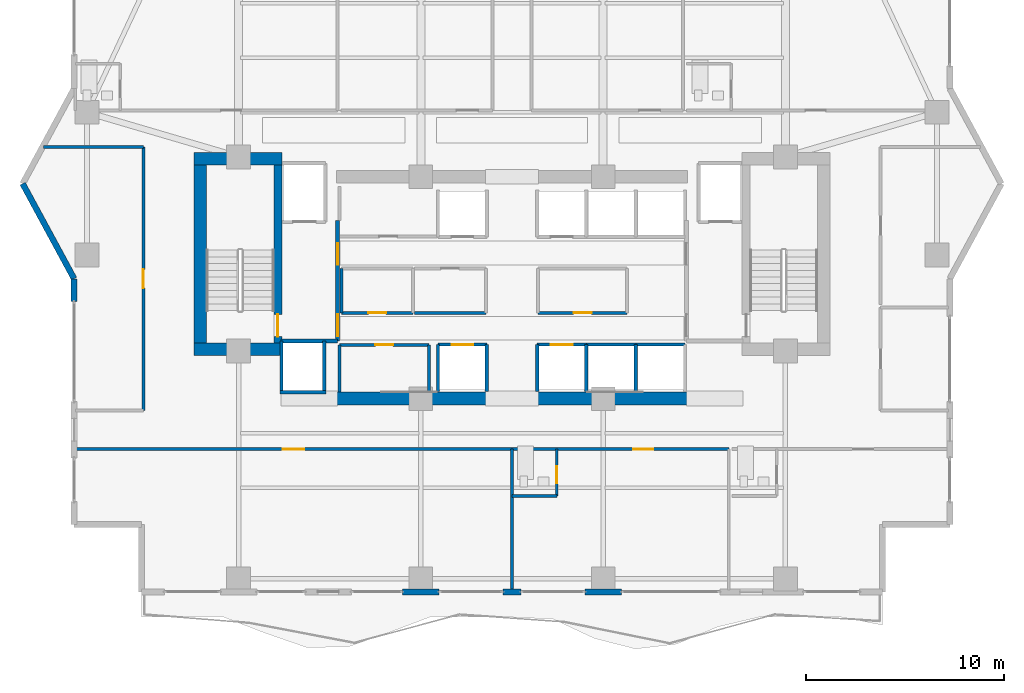
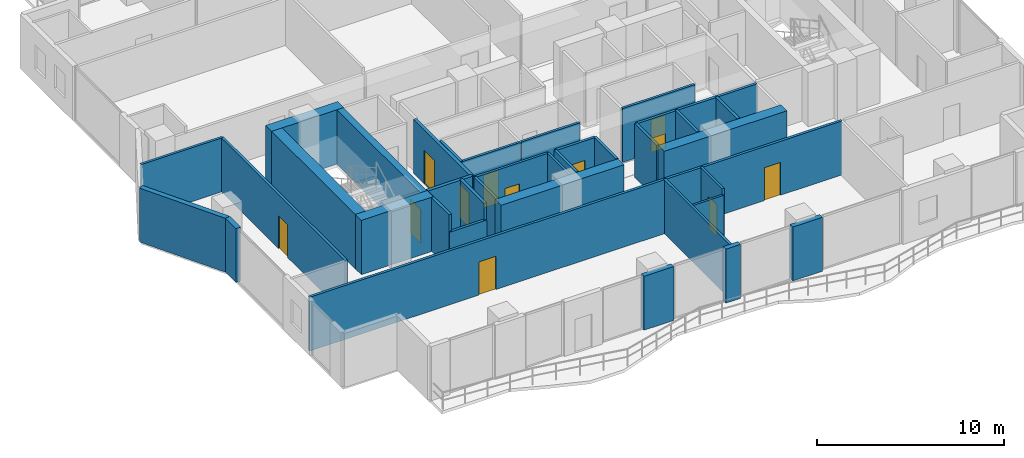
# One storey, part 25 of 32: 39 walls, 12 doors, 12 openings.
"""IFC4 building model written with IfcOpenShell, lengths in metres."""

from ifc_helpers import new_model, si_unit, direction, frame, frame_2d, origin, place, context, subcontext, project, spatial, rectangle, extrude, material, layer, layer_set, type_object, element, fill, save


model = new_model("IFC4")

# Units and contexts
model_context = context("Model", 3, precision=1e-05, world=origin(), true_north=direction((0.0, 1.0)))
body_context = subcontext(model_context, "Body", "Model", "MODEL_VIEW")
ifc_project = project(units=[si_unit("LENGTHUNIT", "METRE"), si_unit("AREAUNIT", "SQUARE_METRE"), si_unit("VOLUMEUNIT", "CUBIC_METRE"), si_unit("PLANEANGLEUNIT", "RADIAN"), si_unit("MASSUNIT", "GRAM", prefix="KILO")], contexts=[model_context])

# Site, building, storey
site_placement = place(None, origin())
site = spatial("IfcSite", under=ifc_project, at=site_placement, CompositionType="ELEMENT")
building_placement = place(site_placement, origin())
building = spatial("IfcBuilding", under=site, at=building_placement, Name="Zuhayl Quay Hotel", CompositionType="ELEMENT")
storey_placement = place(building_placement, frame((0.0, 0.0, 218.64990234375)))
storey = spatial("IfcBuildingStorey", under=building, at=storey_placement, Name="L55", CompositionType="ELEMENT", Elevation=218.64990234375)

# Walls
ifc_material_1 = material(Name="Concrete C50/60", Category="concrete")
ifc_layer_1 = layer(ifc_material_1, 0.64990234375, Name="Concrete C50/60", Category="concrete")
ifc_layer_set_1 = layer_set([ifc_layer_1], Name="Concrete C50/60")
wall_type_1 = type_object("IfcWallType", Name="WL_CORE_650", PredefinedType="SHEAR", material=ifc_layer_set_1)
wall_1_placement = place(storey_placement, frame((-16.06005859375, 14.2548828125, 0.0), z_axis=(0.0, 0.0, 1.0), x_axis=(1.0, 0.0, 0.0)))
element("IfcWall", 1, at=wall_1_placement, inside=storey, type_object=wall_type_1, Name="L55 Core Shear Wall CW_NW", PredefinedType="SHEAR", context=body_context, shape_type="SweptSolid", body=[
    extrude(rectangle(XDim=4.4599609375, YDim=0.64990234375, at=frame_2d((2.22998046875, 0.0))), origin(), (0.0, 0.0, 1.0), 3.56005859375),
])
wall_2_placement = place(storey_placement, frame((-15.735107421875, 4.969970703125, 0.0), z_axis=(0.0, 0.0, 1.0), x_axis=(0.0, 1.0, 0.0)))
element("IfcWall", 2, at=wall_2_placement, inside=storey, type_object=wall_type_1, Name="L55 Core Shear Wall CW_W", PredefinedType="SHEAR", context=body_context, shape_type="SweptSolid", body=[
    extrude(rectangle(XDim=8.9599609375, YDim=0.64990234375, at=frame_2d((4.47998046875, 0.0))), origin(), (0.0, 0.0, 1.0), 3.56005859375),
])
wall_3_placement = place(storey_placement, frame((-16.06005859375, 4.64501953125, 0.0), z_axis=(0.0, 0.0, 1.0), x_axis=(1.0, 0.0, 0.0)))
element("IfcWall", 3, at=wall_3_placement, inside=storey, type_object=wall_type_1, Name="L55 Core Shear Wall CW_SW", PredefinedType="SHEAR", context=body_context, shape_type="SweptSolid", body=[
    extrude(rectangle(XDim=4.4599609375, YDim=0.64990234375, at=frame_2d((2.22998046875, 0.0))), origin(), (0.0, 0.0, 1.0), 3.56005859375),
])
for number, where, z_axis, x_axis, name in (
    (4, (-8.85009765625, 2.14990234375, 0.0), (0.0, 0.0, 1.0), (1.0, 0.0, 0.0), "L55 Core Shear Wall CW_SC_W"),
    (5, (1.25, 2.14990234375, 0.0), (0.0, 0.0, 1.0), (1.0, 0.0, 0.0), "L55 Core Shear Wall CW_SC_E"),
):
    element("IfcWall", number, at=place(storey_placement, frame(where, z_axis=z_axis, x_axis=x_axis)), inside=storey, type_object=wall_type_1, Name=name, PredefinedType="SHEAR", context=body_context, shape_type="SweptSolid", body=[
        extrude(rectangle(XDim=7.60009765625, YDim=0.64990234375, at=frame_2d((3.800048828125, 0.0))), origin(), (0.0, 0.0, 1.0), 3.530029296875),
    ])
ifc_material_2 = material(Name="Precast concrete C45/55", Category="concrete")
ifc_layer_2 = layer(ifc_material_2, 0.300048828125, Name="Precast concrete C45/55", Category="concrete")
ifc_layer_set_2 = layer_set([ifc_layer_2], Name="Precast concrete C45/55")
wall_type_2 = type_object("IfcWallType", Name="WL_EXT_300", PredefinedType="STANDARD", material=ifc_layer_set_2)
wall_4_placement = place(storey_placement, frame((-22.10009765625, 7.050048828125, 0.0), z_axis=(0.0, 0.0, 1.0), x_axis=(0.0, 1.0, 0.0)))
element("IfcWall", 6, at=wall_4_placement, inside=storey, type_object=wall_type_2, Name="L55 Exterior Precast Wall ENV_L55_E02_EW3", PredefinedType="STANDARD", context=body_context, shape_type="SweptSolid", body=[
    extrude(rectangle(XDim=1.14990234375, YDim=0.300048828125, at=frame_2d((0.574951171875, 0.0))), origin(), (0.0, 0.0, 1.0), 3.530029296875),
])
wall_5_placement = place(storey_placement, frame((-22.10009765625, 8.199951171875, 0.0), z_axis=(0.0, 0.0, 1.0), x_axis=(-0.476258655584, 0.879305233114, 0.0)))
element("IfcWall", 7, at=wall_5_placement, inside=storey, type_object=wall_type_2, Name="L55 Exterior Precast Wall ENV_L55_EW03", PredefinedType="STANDARD", context=body_context, shape_type="SweptSolid", body=[
    extrude(rectangle(XDim=5.458984375, YDim=0.300048828125, at=frame_2d((2.7294921875, 0.0))), origin(), (0.0, 0.0, 1.0), 3.530029296875),
])
wall_6_placement = place(storey_placement, frame((5.52001953125, -7.60009765625, 0.0), z_axis=(0.0, 0.0, 1.0), x_axis=(-1.0, 0.0, 0.0)))
element("IfcWall", 8, at=wall_6_placement, inside=storey, type_object=wall_type_2, Name="L55 Exterior Precast Wall ENV_L55_S_EW3", PredefinedType="STANDARD", context=body_context, shape_type="SweptSolid", body=[
    extrude(rectangle(XDim=1.840087890625, YDim=0.300048828125, at=frame_2d((0.919921875, 0.0))), origin(), (0.0, 0.0, 1.0), 3.530029296875),
])
wall_7_placement = place(storey_placement, frame((0.449951171875, -7.60009765625, 0.0), z_axis=(0.0, 0.0, 1.0), x_axis=(-1.0, 0.0, 0.0)))
element("IfcWall", 9, at=wall_7_placement, inside=storey, type_object=wall_type_2, Name="L55 Exterior Precast Wall ENV_L55_S_EW4", PredefinedType="STANDARD", context=body_context, shape_type="SweptSolid", body=[
    extrude(rectangle(XDim=0.89990234375, YDim=0.300048828125, at=frame_2d((0.449951171875, 0.0))), origin(), (0.0, 0.0, 1.0), 3.530029296875),
])
wall_8_placement = place(storey_placement, frame((-3.679931640625, -7.60009765625, 0.0), z_axis=(0.0, 0.0, 1.0), x_axis=(-1.0, 0.0, 0.0)))
element("IfcWall", 10, at=wall_8_placement, inside=storey, type_object=wall_type_2, Name="L55 Exterior Precast Wall ENV_L55_S_EW5", PredefinedType="STANDARD", context=body_context, shape_type="SweptSolid", body=[
    extrude(rectangle(XDim=1.840087890625, YDim=0.300048828125, at=frame_2d((0.919921875, 0.0))), origin(), (0.0, 0.0, 1.0), 3.530029296875),
])

# Wall, opening, door
ifc_material_3 = material(Name="Acoustic Gypsum Partition STC-58")
ifc_layer_3 = layer(ifc_material_3, 0.14990234375, Name="Acoustic Gypsum Partition STC-58")
ifc_layer_set_3 = layer_set([ifc_layer_3], Name="Acoustic Gypsum Partition STC-58")
wall_type_3 = type_object("IfcWallType", Name="WL_PART_150", PredefinedType="PARTITIONING", material=ifc_layer_set_3)
wall_9_placement = place(storey_placement, frame((-8.7099609375, 4.860107421875, 0.0), z_axis=(0.0, 0.0, 1.0), x_axis=(1.0, 0.0, 0.0)))
wall_9 = element("IfcWall", 11, at=wall_9_placement, inside=storey, type_object=wall_type_3, Name="L55 Partition IW_L55_FLP_S_N", PredefinedType="PARTITIONING", context=body_context, shape_type="SweptSolid", body=[
    extrude(rectangle(XDim=4.52001953125, YDim=0.14990234375, at=frame_2d((2.260009765625, 0.0))), origin(), (0.0, 0.0, 1.0), 3.530029296875),
])
opening_1_placement = place(wall_9_placement, frame((1.81005859375, 0.0, 0.0)))
opening_1 = element("IfcOpeningElement", 12, at=opening_1_placement, cuts=wall_9, Name="Opening D06", PredefinedType="OPENING", context=body_context, shape_type="SweptSolid", body=[
    extrude(rectangle(XDim=0.89990234375, YDim=2.14990234375, at=frame_2d((0.449951171875, 1.074951171875))), frame((0.0, 0.0849609375, 0.0), z_axis=(0.0, -1.0, 0.0), x_axis=(1.0, 0.0, 0.0)), (0.0, 0.0, 1.0), 0.169921875),
])
ifc_material_4 = material(Name="Steel ASTM A992 Grade 50", Category="steel")
door_type_1 = type_object("IfcDoorType", Name="DR_INT_900", OperationType="NOTDEFINED", PredefinedType="DOOR", material=ifc_material_4)
door_1_placement = place(opening_1_placement, origin())
door_1 = element("IfcDoor", 13, at=door_1_placement, inside=storey, type_object=door_type_1, Name="L55 Sommelier Closet Door", OperationType="SINGLE_SWING_LEFT", OverallHeight=2.14990234375, OverallWidth=0.89990234375, PredefinedType="DOOR", context=body_context, shape_type="SweptSolid", body=[
    extrude(rectangle(XDim=0.89990234375, YDim=2.14990234375, at=frame_2d((0.449951171875, 1.074951171875))), frame((0.0, 0.02490234375, 0.0), z_axis=(0.0, -1.0, 0.0), x_axis=(1.0, 0.0, 0.0)), (0.0, 0.0, 1.0), 0.050048828125),
])
fill(opening_1, door_1)

wall_10_placement = place(storey_placement, frame((-8.610107421875, 6.47998046875, 0.0), z_axis=(0.0, 0.0, 1.0), x_axis=(1.0, 0.0, 0.0)))
wall_10 = element("IfcWall", 14, at=wall_10_placement, inside=storey, type_object=wall_type_3, Name="L55 Partition IW_L55_CORE_SW_S", PredefinedType="PARTITIONING", context=body_context, shape_type="SweptSolid", body=[
    extrude(rectangle(XDim=3.6201171875, YDim=0.14990234375, at=frame_2d((1.81005859375, 0.0))), origin(), (0.0, 0.0, 1.0), 3.530029296875),
])
opening_2_placement = place(wall_10_placement, frame((1.360107421875, 0.0, 0.0)))
opening_2 = element("IfcOpeningElement", 15, at=opening_2_placement, cuts=wall_10, Name="Opening D06", PredefinedType="OPENING", context=body_context, shape_type="SweptSolid", body=[
    extrude(rectangle(XDim=0.89990234375, YDim=2.14990234375, at=frame_2d((0.449951171875, 1.074951171875))), frame((0.0, 0.0849609375, 0.0), z_axis=(0.0, -1.0, 0.0), x_axis=(1.0, 0.0, 0.0)), (0.0, 0.0, 1.0), 0.169921875),
])
door_2_placement = place(opening_2_placement, origin())
door_2 = element("IfcDoor", 16, at=door_2_placement, inside=storey, type_object=door_type_1, Name="L55 Floor Switchgear Closet Door", OperationType="SINGLE_SWING_LEFT", OverallHeight=2.14990234375, OverallWidth=0.89990234375, PredefinedType="DOOR", context=body_context, shape_type="SweptSolid", body=[
    extrude(rectangle(XDim=0.89990234375, YDim=2.14990234375, at=frame_2d((0.449951171875, 1.074951171875))), frame((0.0, 0.02490234375, 0.0), z_axis=(0.0, -1.0, 0.0), x_axis=(1.0, 0.0, 0.0)), (0.0, 0.0, 1.0), 0.050048828125),
])
fill(opening_2, door_2)

wall_11_placement = place(storey_placement, frame((1.320068359375, 6.47998046875, 0.0), z_axis=(0.0, 0.0, 1.0), x_axis=(1.0, 0.0, 0.0)))
wall_11 = element("IfcWall", 17, at=wall_11_placement, inside=storey, type_object=wall_type_3, Name="L55 Partition IW_L55_CORE_PN_S", PredefinedType="PARTITIONING", context=body_context, shape_type="SweptSolid", body=[
    extrude(rectangle(XDim=4.489990234375, YDim=0.14990234375, at=frame_2d((2.2451171875, 0.0))), origin(), (0.0, 0.0, 1.0), 3.530029296875),
])
opening_3_placement = place(wall_11_placement, frame((1.794921875, 0.0, 0.0)))
opening_3 = element("IfcOpeningElement", 18, at=opening_3_placement, cuts=wall_11, Name="Opening D06", PredefinedType="OPENING", context=body_context, shape_type="SweptSolid", body=[
    extrude(rectangle(XDim=0.89990234375, YDim=2.14990234375, at=frame_2d((0.449951171875, 1.074951171875))), frame((0.0, 0.0849609375, 0.0), z_axis=(0.0, -1.0, 0.0), x_axis=(1.0, 0.0, 0.0)), (0.0, 0.0, 1.0), 0.169921875),
])
door_3_placement = place(opening_3_placement, origin())
door_3 = element("IfcDoor", 19, at=door_3_placement, inside=storey, type_object=door_type_1, Name="L55 Core Ice and Pantry Room Door", OperationType="SINGLE_SWING_LEFT", OverallHeight=2.14990234375, OverallWidth=0.89990234375, PredefinedType="DOOR", context=body_context, shape_type="SweptSolid", body=[
    extrude(rectangle(XDim=0.89990234375, YDim=2.14990234375, at=frame_2d((0.449951171875, 1.074951171875))), frame((0.0, 0.02490234375, 0.0), z_axis=(0.0, -1.0, 0.0), x_axis=(1.0, 0.0, 0.0)), (0.0, 0.0, 1.0), 0.050048828125),
])
fill(opening_3, door_3)

# Walls
for number, where, z_axis, x_axis, name in (
    (20, (-8.7099609375, 2.489990234375, 0.0), (0.0, 0.0, 1.0), (0.0, 1.0, 0.0), "L55 Partition IW_L55_FLP_S_W"),
    (21, (-4.18994140625, 2.489990234375, 0.0), (0.0, 0.0, 1.0), (0.0, 1.0, 0.0), "L55 Partition IW_L55_FLP_S_E"),
):
    element("IfcWall", number, at=place(storey_placement, frame(where, z_axis=z_axis, x_axis=x_axis)), inside=storey, type_object=wall_type_3, Name=name, PredefinedType="PARTITIONING", context=body_context, shape_type="SweptSolid", body=[
        extrude(rectangle(XDim=2.3701171875, YDim=0.14990234375, at=frame_2d((1.18505859375, 0.0))), origin(), (0.0, 0.0, 1.0), 3.530029296875),
    ])
wall_12_placement = place(storey_placement, frame((-8.610107421875, 6.47998046875, 0.0), z_axis=(0.0, 0.0, 1.0), x_axis=(0.0, 1.0, 0.0)))
element("IfcWall", 22, at=wall_12_placement, inside=storey, type_object=wall_type_3, Name="L55 Partition IW_L55_CORE_SW_W", PredefinedType="PARTITIONING", context=body_context, shape_type="SweptSolid", body=[
    extrude(rectangle(XDim=2.239990234375, YDim=0.14990234375, at=frame_2d((1.1201171875, 0.0))), origin(), (0.0, 0.0, 1.0), 3.530029296875),
])
wall_13_placement = place(storey_placement, frame((-4.929931640625, 6.47998046875, 0.0), z_axis=(0.0, 0.0, 1.0), x_axis=(1.0, 0.0, 0.0)))
element("IfcWall", 23, at=wall_13_placement, inside=storey, type_object=wall_type_3, Name="L55 Partition IW_L55_CORE_BM_S", PredefinedType="PARTITIONING", context=body_context, shape_type="SweptSolid", body=[
    extrude(rectangle(XDim=3.60986328125, YDim=0.14990234375, at=frame_2d((1.804931640625, 0.0))), origin(), (0.0, 0.0, 1.0), 3.530029296875),
])
wall_14_placement = place(storey_placement, frame((0.0, -7.5400390625, 0.0), z_axis=(0.0, 0.0, 1.0), x_axis=(0.0, 1.0, 0.0)))
element("IfcWall", 24, at=wall_14_placement, inside=storey, type_object=wall_type_3, Name="L55 Partition IW_L55_SSAL_0_E", PredefinedType="PARTITIONING", context=body_context, shape_type="SweptSolid", body=[
    extrude(rectangle(XDim=7.14013671875, YDim=0.14990234375, at=frame_2d((3.570068359375, 0.0))), origin(), (0.0, 0.0, 1.0), 3.530029296875),
])
wall_15_placement = place(storey_placement, frame((-23.637939453125, 14.85009765625, 0.0), z_axis=(0.0, 0.0, 1.0), x_axis=(1.0, 0.0, 0.0)))
element("IfcWall", 25, at=wall_15_placement, inside=storey, type_object=wall_type_3, Name="L55 Partition IW_L55_WPROW_1_N", PredefinedType="PARTITIONING", context=body_context, shape_type="SweptSolid", body=[
    extrude(rectangle(XDim=5.037841796875, YDim=0.14990234375, at=frame_2d((2.51904296875, 0.0))), origin(), (0.0, 0.0, 1.0), 3.530029296875),
])

# Wall, opening, door
ifc_layer_4 = layer(ifc_material_3, 0.159912109375, Name="Acoustic Gypsum Partition STC-58")
ifc_layer_set_4 = layer_set([ifc_layer_4], Name="Acoustic Gypsum Partition STC-58")
wall_type_4 = type_object("IfcWallType", Name="WL_PART_CORR_160", PredefinedType="PARTITIONING", material=ifc_layer_set_4)
wall_16_placement = place(storey_placement, frame((-22.0400390625, -0.39990234375, 0.0), z_axis=(0.0, 0.0, 1.0), x_axis=(1.0, 0.0, 0.0)))
wall_16 = element("IfcWall", 26, at=wall_16_placement, inside=storey, type_object=wall_type_4, Name="L55 Partition IW_L55_SSAL_0_N", PredefinedType="PARTITIONING", context=body_context, shape_type="SweptSolid", body=[
    extrude(rectangle(XDim=22.0400390625, YDim=0.159912109375, at=frame_2d((11.02001953125, 0.0))), origin(), (0.0, 0.0, 1.0), 3.530029296875),
])
opening_4_placement = place(wall_16_placement, frame((10.47998046875, 0.0, 0.0)))
opening_4 = element("IfcOpeningElement", 27, at=opening_4_placement, cuts=wall_16, Name="Opening D05A", PredefinedType="OPENING", context=body_context, shape_type="SweptSolid", body=[
    extrude(rectangle(XDim=1.080078125, YDim=2.179931640625, at=frame_2d((0.5400390625, 1.08984375))), frame((0.0, 0.08984375, 0.0), z_axis=(0.0, -1.0, 0.0), x_axis=(1.0, 0.0, 0.0)), (0.0, 0.0, 1.0), 0.179931640625),
])
ifc_material_5 = material(Name="Solid Walnut Acoustic Fire Door")
door_type_2 = type_object("IfcDoorType", Name="DR_INT_1100", OperationType="NOTDEFINED", PredefinedType="DOOR", material=ifc_material_5)
door_4_placement = place(opening_4_placement, origin())
door_4 = element("IfcDoor", 28, at=door_4_placement, inside=storey, type_object=door_type_2, Name="L55 South Sunset Salon L55 Door", OperationType="SINGLE_SWING_RIGHT", OverallHeight=2.179931640625, OverallWidth=1.080078125, PredefinedType="DOOR", context=body_context, shape_type="SweptSolid", body=[
    extrude(rectangle(XDim=1.080078125, YDim=2.179931640625, at=frame_2d((0.5400390625, 1.08984375))), frame((0.0, 0.02490234375, 0.0), z_axis=(0.0, -1.0, 0.0), x_axis=(1.0, 0.0, 0.0)), (0.0, 0.0, 1.0), 0.050048828125),
])
fill(opening_4, door_4)

wall_17_placement = place(storey_placement, frame((0.0, -0.39990234375, 0.0), z_axis=(0.0, 0.0, 1.0), x_axis=(1.0, 0.0, 0.0)))
wall_17 = element("IfcWall", 29, at=wall_17_placement, inside=storey, type_object=wall_type_4, Name="L55 Partition IW_L55_SU02A_COR", PredefinedType="PARTITIONING", context=body_context, shape_type="SweptSolid", body=[
    extrude(rectangle(XDim=10.93994140625, YDim=0.159912109375, at=frame_2d((5.469970703125, 0.0))), origin(), (0.0, 0.0, 1.0), 3.530029296875),
])
opening_5_placement = place(wall_17_placement, frame((6.1201171875, 0.0, 0.0)))
opening_5 = element("IfcOpeningElement", 30, at=opening_5_placement, cuts=wall_17, Name="Opening D03L", PredefinedType="OPENING", context=body_context, shape_type="SweptSolid", body=[
    extrude(rectangle(XDim=1.0, YDim=2.14990234375, at=frame_2d((0.5, 1.074951171875))), frame((0.0, 0.08984375, 0.0), z_axis=(0.0, -1.0, 0.0), x_axis=(1.0, 0.0, 0.0)), (0.0, 0.0, 1.0), 0.179931640625),
])
door_type_3 = type_object("IfcDoorType", Name="DR_SUITE_1000", OperationType="NOTDEFINED", PredefinedType="DOOR", material=ifc_material_5)
door_5_placement = place(opening_5_placement, origin())
door_5 = element("IfcDoor", 31, at=door_5_placement, inside=storey, type_object=door_type_3, Name="L55 City-View Junior Suite L55-02A Entrance Door", OperationType="SINGLE_SWING_RIGHT", OverallHeight=2.14990234375, OverallWidth=1.0, PredefinedType="DOOR", context=body_context, shape_type="SweptSolid", body=[
    extrude(rectangle(XDim=1.0, YDim=2.14990234375, at=frame_2d((0.5, 1.074951171875))), frame((0.0, 0.02490234375, 0.0), z_axis=(0.0, -1.0, 0.0), x_axis=(1.0, 0.0, 0.0)), (0.0, 0.0, 1.0), 0.050048828125),
])
fill(opening_5, door_5)

wall_18_placement = place(storey_placement, frame((-18.60009765625, 1.550048828125, 0.0), z_axis=(0.0, 0.0, 1.0), x_axis=(0.0, 1.0, 0.0)))
wall_18 = element("IfcWall", 32, at=wall_18_placement, inside=storey, type_object=wall_type_4, Name="L55 Partition IW_L55_WPROW_1_E", PredefinedType="PARTITIONING", context=body_context, shape_type="SweptSolid", body=[
    extrude(rectangle(XDim=13.300048828125, YDim=0.159912109375, at=frame_2d((6.64990234375, 0.0))), origin(), (0.0, 0.0, 1.0), 3.530029296875),
])
opening_6_placement = place(wall_18_placement, frame((6.175048828125, 0.0, 0.0)))
opening_6 = element("IfcOpeningElement", 33, at=opening_6_placement, cuts=wall_18, Name="Opening D03", PredefinedType="OPENING", context=body_context, shape_type="SweptSolid", body=[
    extrude(rectangle(XDim=0.949951171875, YDim=2.14990234375, at=frame_2d((0.47509765625, 1.074951171875))), frame((0.0, 0.08984375, 0.0), z_axis=(0.0, -1.0, 0.0), x_axis=(1.0, 0.0, 0.0)), (0.0, 0.0, 1.0), 0.179931640625),
])
door_type_4 = type_object("IfcDoorType", Name="DR_SUITE_950", OperationType="NOTDEFINED", PredefinedType="DOOR", material=ifc_material_5)
door_6_placement = place(opening_6_placement, origin())
door_6 = element("IfcDoor", 34, at=door_6_placement, inside=storey, type_object=door_type_4, Name="L55 West Prow Panoramic Salon L55 Door", OperationType="SINGLE_SWING_LEFT", OverallHeight=2.14990234375, OverallWidth=0.949951171875, PredefinedType="DOOR", context=body_context, shape_type="SweptSolid", body=[
    extrude(rectangle(XDim=0.949951171875, YDim=2.14990234375, at=frame_2d((0.47509765625, 1.074951171875))), frame((0.0, 0.02490234375, 0.0), z_axis=(0.0, -1.0, 0.0), x_axis=(1.0, 0.0, 0.0)), (0.0, 0.0, 1.0), 0.050048828125),
])
fill(opening_6, door_6)

ifc_material_6 = material(Name="Moisture-Resistant Sanitarychase Gypsum")
ifc_layer_5 = layer(ifc_material_6, 0.135009765625, Name="Moisture-Resistant Sanitarychase Gypsum")
ifc_layer_set_5 = layer_set([ifc_layer_5], Name="Moisture-Resistant Sanitarychase Gypsum")
wall_type_5 = type_object("IfcWallType", Name="WL_PART_PLUMB_150", PredefinedType="PLUMBINGWALL", material=ifc_layer_set_5)
wall_19_placement = place(storey_placement, frame((2.260009765625, -2.760009765625, 0.0), z_axis=(0.0, 0.0, 1.0), x_axis=(0.0, 1.0, 0.0)))
wall_19 = element("IfcWall", 35, at=wall_19_placement, inside=storey, type_object=wall_type_5, Name="L55 Partition IW_L55_SU02A_BE", PredefinedType="PLUMBINGWALL", context=body_context, shape_type="SweptSolid", body=[
    extrude(rectangle(XDim=2.360107421875, YDim=0.135009765625, at=frame_2d((1.18017578125, 0.0))), origin(), (0.0, 0.0, 1.0), 3.530029296875),
])
opening_7_placement = place(wall_19_placement, frame((0.64990234375, 0.0, 0.0)))
opening_7 = element("IfcOpeningElement", 36, at=opening_7_placement, cuts=wall_19, Name="Opening D04", PredefinedType="OPENING", context=body_context, shape_type="SweptSolid", body=[
    extrude(rectangle(XDim=0.85009765625, YDim=2.10009765625, at=frame_2d((0.425048828125, 1.050048828125))), frame((0.0, 0.077392578125, 0.0), z_axis=(0.0, -1.0, 0.0), x_axis=(1.0, 0.0, 0.0)), (0.0, 0.0, 1.0), 0.155029296875),
])
ifc_material_7 = material(Name="Moisture-Resistant Walnut Veneer")
door_type_5 = type_object("IfcDoorType", Name="DR_BATH_850", OperationType="NOTDEFINED", PredefinedType="DOOR", material=ifc_material_7)
door_7_placement = place(opening_7_placement, origin())
door_7 = element("IfcDoor", 37, at=door_7_placement, inside=storey, type_object=door_type_5, Name="L55 City-View Junior Suite L55-02A En-Suite Door", OperationType="SINGLE_SWING_LEFT", OverallHeight=2.10009765625, OverallWidth=0.85009765625, PredefinedType="DOOR", context=body_context, shape_type="SweptSolid", body=[
    extrude(rectangle(XDim=0.85009765625, YDim=2.10009765625, at=frame_2d((0.425048828125, 1.050048828125))), frame((0.0, 0.02490234375, 0.0), z_axis=(0.0, -1.0, 0.0), x_axis=(1.0, 0.0, 0.0)), (0.0, 0.0, 1.0), 0.050048828125),
])
fill(opening_7, door_7)

# Wall
wall_20_placement = place(storey_placement, frame((0.0, -2.760009765625, 0.0), z_axis=(0.0, 0.0, 1.0), x_axis=(1.0, 0.0, 0.0)))
element("IfcWall", 38, at=wall_20_placement, inside=storey, type_object=wall_type_5, Name="L55 Partition IW_L55_SU02A_BS", PredefinedType="PLUMBINGWALL", context=body_context, shape_type="SweptSolid", body=[
    extrude(rectangle(XDim=2.260009765625, YDim=0.135009765625, at=frame_2d((1.1298828125, 0.0))), origin(), (0.0, 0.0, 1.0), 3.1240234375),
])

# Wall, opening, door
ifc_material_8 = material(Name="Gypsum Fireboard Assembly EI-90")
ifc_layer_6 = layer(ifc_material_8, 0.1650390625, Name="Gypsum Fireboard Assembly EI-90")
ifc_layer_set_6 = layer_set([ifc_layer_6], Name="Gypsum Fireboard Assembly EI-90")
wall_type_6 = type_object("IfcWallType", Name="WL_PART_SHAFT_160", PredefinedType="PARTITIONING", material=ifc_layer_set_6)
wall_21_placement = place(storey_placement, frame((-3.72998046875, 4.8798828125, 0.0), z_axis=(0.0, 0.0, 1.0), x_axis=(1.0, 0.0, 0.0)))
wall_21 = element("IfcWall", 39, at=wall_21_placement, inside=storey, type_object=wall_type_6, Name="L55 Partition IW_L55_SH_MP1_F", PredefinedType="PARTITIONING", context=body_context, shape_type="SweptSolid", body=[
    extrude(rectangle(XDim=2.4599609375, YDim=0.1650390625, at=frame_2d((1.22998046875, 0.0))), origin(), (0.0, 0.0, 1.0), 3.530029296875),
])
opening_8_placement = place(wall_21_placement, frame((0.679931640625, 0.0, 0.0)))
opening_8 = element("IfcOpeningElement", 40, at=opening_8_placement, cuts=wall_21, Name="Opening LD1", PredefinedType="OPENING", context=body_context, shape_type="SweptSolid", body=[
    extrude(rectangle(XDim=1.10009765625, YDim=2.25, at=frame_2d((0.550048828125, 1.125))), frame((0.0, 0.092529296875, 0.0), z_axis=(0.0, -1.0, 0.0), x_axis=(1.0, 0.0, 0.0)), (0.0, 0.0, 1.0), 0.18505859375),
])
ifc_material_9 = material(Name="Brushed Stainless Steel", Category="steel")
door_type_6 = type_object("IfcDoorType", Name="DR_LIFT_PASS_1100", OperationType="SLIDING_TO_LEFT", PredefinedType="DOOR", material=ifc_material_9)
door_8_placement = place(opening_8_placement, origin())
door_8 = element("IfcDoor", 41, at=door_8_placement, inside=storey, type_object=door_type_6, Name="L55 Lift MP1 Sliding Landing Door", OperationType="SLIDING_TO_LEFT", OverallHeight=2.25, OverallWidth=1.10009765625, PredefinedType="DOOR", context=body_context, shape_type="SweptSolid", body=[
    extrude(rectangle(XDim=1.10009765625, YDim=2.25, at=frame_2d((0.550048828125, 1.125))), frame((0.0, 0.02490234375, 0.0), z_axis=(0.0, -1.0, 0.0), x_axis=(1.0, 0.0, 0.0)), (0.0, 0.0, 1.0), 0.050048828125),
])
fill(opening_8, door_8)

wall_22_placement = place(storey_placement, frame((1.27001953125, 4.8798828125, 0.0), z_axis=(0.0, 0.0, 1.0), x_axis=(1.0, 0.0, 0.0)))
wall_22 = element("IfcWall", 42, at=wall_22_placement, inside=storey, type_object=wall_type_6, Name="L55 Partition IW_L55_SH_MP2_F", PredefinedType="PARTITIONING", context=body_context, shape_type="SweptSolid", body=[
    extrude(rectangle(XDim=2.47998046875, YDim=0.1650390625, at=frame_2d((1.239990234375, 0.0))), origin(), (0.0, 0.0, 1.0), 3.530029296875),
])
opening_9_placement = place(wall_22_placement, frame((0.68994140625, 0.0, 0.0)))
opening_9 = element("IfcOpeningElement", 43, at=opening_9_placement, cuts=wall_22, Name="Opening LD1", PredefinedType="OPENING", context=body_context, shape_type="SweptSolid", body=[
    extrude(rectangle(XDim=1.10009765625, YDim=2.25, at=frame_2d((0.550048828125, 1.125))), frame((0.0, 0.092529296875, 0.0), z_axis=(0.0, -1.0, 0.0), x_axis=(1.0, 0.0, 0.0)), (0.0, 0.0, 1.0), 0.18505859375),
])
door_9_placement = place(opening_9_placement, origin())
door_9 = element("IfcDoor", 44, at=door_9_placement, inside=storey, type_object=door_type_6, Name="L55 Lift MP2 Sliding Landing Door", OperationType="SLIDING_TO_LEFT", OverallHeight=2.25, OverallWidth=1.10009765625, PredefinedType="DOOR", context=body_context, shape_type="SweptSolid", body=[
    extrude(rectangle(XDim=1.10009765625, YDim=2.25, at=frame_2d((0.550048828125, 1.125))), frame((0.0, 0.02490234375, 0.0), z_axis=(0.0, -1.0, 0.0), x_axis=(1.0, 0.0, 0.0)), (0.0, 0.0, 1.0), 0.050048828125),
])
fill(opening_9, door_9)

# Walls
for number, where, z_axis, x_axis, name in (
    (45, (-3.72998046875, 2.52001953125, 0.0), (0.0, 0.0, 1.0), (0.0, 1.0, 0.0), "L55 Partition IW_L55_SH_MP1_W"),
    (46, (-1.27001953125, 2.52001953125, 0.0), (0.0, 0.0, 1.0), (0.0, 1.0, 0.0), "L55 Partition IW_L55_SH_MP1_E"),
    (47, (1.27001953125, 2.52001953125, 0.0), (0.0, 0.0, 1.0), (0.0, 1.0, 0.0), "L55 Partition IW_L55_SH_MP2_W"),
    (48, (3.75, 2.52001953125, 0.0), (0.0, 0.0, 1.0), (0.0, 1.0, 0.0), "L55 Partition IW_L55_SH_MP2_E"),
):
    element("IfcWall", number, at=place(storey_placement, frame(where, z_axis=z_axis, x_axis=x_axis)), inside=storey, type_object=wall_type_6, Name=name, PredefinedType="PARTITIONING", context=body_context, shape_type="SweptSolid", body=[
        extrude(rectangle(XDim=2.35986328125, YDim=0.1650390625, at=frame_2d((1.179931640625, 0.0))), origin(), (0.0, 0.0, 1.0), 3.530029296875),
    ])
wall_23_placement = place(storey_placement, frame((3.75, 4.8798828125, 0.0), z_axis=(0.0, 0.0, 1.0), x_axis=(1.0, 0.0, 0.0)))
element("IfcWall", 49, at=wall_23_placement, inside=storey, type_object=wall_type_6, Name="L55 Partition IW_L55_SH_HP1_F", PredefinedType="PARTITIONING", context=body_context, shape_type="SweptSolid", body=[
    extrude(rectangle(XDim=2.5, YDim=0.1650390625, at=frame_2d((1.25, 0.0))), origin(), (0.0, 0.0, 1.0), 3.530029296875),
])
wall_24_placement = place(storey_placement, frame((6.25, 2.52001953125, 0.0), z_axis=(0.0, 0.0, 1.0), x_axis=(0.0, 1.0, 0.0)))
element("IfcWall", 50, at=wall_24_placement, inside=storey, type_object=wall_type_6, Name="L55 Partition IW_L55_SH_HP1_E", PredefinedType="PARTITIONING", context=body_context, shape_type="SweptSolid", body=[
    extrude(rectangle(XDim=2.35986328125, YDim=0.1650390625, at=frame_2d((1.179931640625, 0.0))), origin(), (0.0, 0.0, 1.0), 3.530029296875),
])
wall_25_placement = place(storey_placement, frame((6.25, 4.8798828125, 0.0), z_axis=(0.0, 0.0, 1.0), x_axis=(1.0, 0.0, 0.0)))
element("IfcWall", 51, at=wall_25_placement, inside=storey, type_object=wall_type_6, Name="L55 Partition IW_L55_SH_HP2_F", PredefinedType="PARTITIONING", context=body_context, shape_type="SweptSolid", body=[
    extrude(rectangle(XDim=2.47998046875, YDim=0.1650390625, at=frame_2d((1.239990234375, 0.0))), origin(), (0.0, 0.0, 1.0), 3.530029296875),
])
wall_26_placement = place(storey_placement, frame((-11.6298828125, 2.469970703125, 0.0), z_axis=(0.0, 0.0, 1.0), x_axis=(0.0, 1.0, 0.0)))
element("IfcWall", 52, at=wall_26_placement, inside=storey, type_object=wall_type_6, Name="L55 Partition IW_L55_RISER_W", PredefinedType="PARTITIONING", context=body_context, shape_type="SweptSolid", body=[
    extrude(rectangle(XDim=2.580078125, YDim=0.1650390625, at=frame_2d((1.2900390625, 0.0))), origin(), (0.0, 0.0, 1.0), 3.530029296875),
])
wall_27_placement = place(storey_placement, frame((-11.7099609375, 2.469970703125, 0.0), z_axis=(0.0, 0.0, 1.0), x_axis=(1.0, 0.0, 0.0)))
element("IfcWall", 53, at=wall_27_placement, inside=storey, type_object=wall_type_6, Name="L55 Partition IW_L55_RISER_S", PredefinedType="PARTITIONING", context=body_context, shape_type="SweptSolid", body=[
    extrude(rectangle(XDim=2.31005859375, YDim=0.1650390625, at=frame_2d((1.155029296875, 0.0))), origin(), (0.0, 0.0, 1.0), 2.43017578125),
])
ifc_layer_7 = layer(ifc_material_8, 0.179931640625, Name="Gypsum Fireboard Assembly EI-90")
ifc_layer_set_7 = layer_set([ifc_layer_7], Name="Gypsum Fireboard Assembly EI-90")
wall_type_7 = type_object("IfcWallType", Name="WL_PART_SHAFT_180", PredefinedType="PARTITIONING", material=ifc_layer_set_7)
wall_28_placement = place(storey_placement, frame((-9.469970703125, 2.449951171875, 0.0), z_axis=(0.0, 0.0, 1.0), x_axis=(0.0, 1.0, 0.0)))
element("IfcWall", 54, at=wall_28_placement, inside=storey, type_object=wall_type_7, Name="L55 Partition IW_L55_RISER_E", PredefinedType="PARTITIONING", context=body_context, shape_type="SweptSolid", body=[
    extrude(rectangle(XDim=2.60009765625, YDim=0.179931640625, at=frame_2d((1.300048828125, 0.0))), origin(), (0.0, 0.0, 1.0), 3.530029296875),
])

# Wall, openings, doors
ifc_material_10 = material(Name="Gypsum Fireboard Assembly EI-120")
ifc_layer_8 = layer(ifc_material_10, 0.199951171875, Name="Gypsum Fireboard Assembly EI-120")
ifc_layer_set_8 = layer_set([ifc_layer_8], Name="Gypsum Fireboard Assembly EI-120")
wall_type_8 = type_object("IfcWallType", Name="WL_PART_SHAFT_200", PredefinedType="PARTITIONING", material=ifc_layer_set_8)
wall_29_placement = place(storey_placement, frame((-8.800048828125, 5.050048828125, 0.0), z_axis=(0.0, 0.0, 1.0), x_axis=(0.0, 1.0, 0.0)))
wall_29 = element("IfcWall", 55, at=wall_29_placement, inside=storey, type_object=wall_type_8, Name="L55 Partition IW_L55_FSAE_W_E", PredefinedType="PARTITIONING", context=body_context, shape_type="SweptSolid", body=[
    extrude(rectangle(XDim=6.099853515625, YDim=0.199951171875, at=frame_2d((3.0498046875, 0.0))), origin(), (0.0, 0.0, 1.0), 3.530029296875),
])
opening_10_placement = place(wall_29_placement, frame((0.25, 0.0, 0.0)))
opening_10 = element("IfcOpeningElement", 56, at=opening_10_placement, cuts=wall_29, Name="Opening D02", PredefinedType="OPENING", context=body_context, shape_type="SweptSolid", body=[
    extrude(rectangle(XDim=1.10009765625, YDim=2.199951171875, at=frame_2d((0.550048828125, 1.10009765625))), frame((0.0, 0.10986328125, 0.0), z_axis=(0.0, -1.0, 0.0), x_axis=(1.0, 0.0, 0.0)), (0.0, 0.0, 1.0), 0.219970703125),
])
opening_11_placement = place(wall_29_placement, frame((3.85009765625, 0.0, 0.0)))
opening_11 = element("IfcOpeningElement", 57, at=opening_11_placement, cuts=wall_29, Name="Opening D02", PredefinedType="OPENING", context=body_context, shape_type="SweptSolid", body=[
    extrude(rectangle(XDim=1.10009765625, YDim=2.199951171875, at=frame_2d((0.550048828125, 1.10009765625))), frame((0.0, 0.10986328125, 0.0), z_axis=(0.0, -1.0, 0.0), x_axis=(1.0, 0.0, 0.0)), (0.0, 0.0, 1.0), 0.219970703125),
])
door_type_7 = type_object("IfcDoorType", Name="DR_FIRE_90_1100", OperationType="NOTDEFINED", PredefinedType="DOOR", material=ifc_material_4)
door_10_placement = place(opening_10_placement, origin())
door_10 = element("IfcDoor", 58, at=door_10_placement, inside=storey, type_object=door_type_7, Name="L55 FSAE Lobby West South Entry Door", OperationType="SINGLE_SWING_LEFT", OverallHeight=2.199951171875, OverallWidth=1.10009765625, PredefinedType="DOOR", context=body_context, shape_type="SweptSolid", body=[
    extrude(rectangle(XDim=1.10009765625, YDim=2.199951171875, at=frame_2d((0.550048828125, 1.10009765625))), frame((0.0, 0.02490234375, 0.0), z_axis=(0.0, -1.0, 0.0), x_axis=(1.0, 0.0, 0.0)), (0.0, 0.0, 1.0), 0.050048828125),
])
fill(opening_10, door_10)
door_11_placement = place(opening_11_placement, origin())
door_11 = element("IfcDoor", 59, at=door_11_placement, inside=storey, type_object=door_type_7, Name="L55 FSAE Lobby West North Entry Door", OperationType="SINGLE_SWING_RIGHT", OverallHeight=2.199951171875, OverallWidth=1.10009765625, PredefinedType="DOOR", context=body_context, shape_type="SweptSolid", body=[
    extrude(rectangle(XDim=1.10009765625, YDim=2.199951171875, at=frame_2d((0.550048828125, 1.10009765625))), frame((0.0, 0.02490234375, 0.0), z_axis=(0.0, -1.0, 0.0), x_axis=(1.0, 0.0, 0.0)), (0.0, 0.0, 1.0), 0.050048828125),
])
fill(opening_11, door_11)

# Wall
wall_30_placement = place(storey_placement, frame((-11.64990234375, 5.050048828125, 0.0), z_axis=(0.0, 0.0, 1.0), x_axis=(1.0, 0.0, 0.0)))
element("IfcWall", 60, at=wall_30_placement, inside=storey, type_object=wall_type_8, Name="L55 Partition IW_L55_FSAE_W_S", PredefinedType="PARTITIONING", context=body_context, shape_type="SweptSolid", body=[
    extrude(rectangle(XDim=2.849853515625, YDim=0.199951171875, at=frame_2d((1.4248046875, 0.0))), origin(), (0.0, 0.0, 1.0), 3.530029296875),
])

# Wall, opening, door
ifc_material_11 = material(Name="Concrete C60/75", Category="concrete")
ifc_layer_9 = layer(ifc_material_11, 0.39990234375, Name="Concrete C60/75", Category="concrete")
ifc_layer_set_9 = layer_set([ifc_layer_9], Name="Concrete C60/75")
wall_type_9 = type_object("IfcWallType", Name="WL_STAIR_400", PredefinedType="SHEAR", material=ifc_layer_set_9)
wall_31_placement = place(storey_placement, frame((-11.820068359375, 4.969970703125, 0.0), z_axis=(0.0, 0.0, 1.0), x_axis=(0.0, 1.0, 0.0)))
wall_31 = element("IfcWall", 61, at=wall_31_placement, inside=storey, type_object=wall_type_9, Name="L55 Core Shear Wall SW_ST1", PredefinedType="SHEAR", context=body_context, shape_type="SweptSolid", body=[
    extrude(rectangle(XDim=8.9599609375, YDim=0.39990234375, at=frame_2d((4.47998046875, 0.0))), origin(), (0.0, 0.0, 1.0), 3.56005859375),
])
opening_12_placement = place(wall_31_placement, frame((0.31005859375, 0.0, 0.0)))
opening_12 = element("IfcOpeningElement", 62, at=opening_12_placement, cuts=wall_31, Name="Opening D01", PredefinedType="OPENING", context=body_context, shape_type="SweptSolid", body=[
    extrude(rectangle(XDim=1.1201171875, YDim=2.219970703125, at=frame_2d((0.56005859375, 1.10986328125))), frame((0.0, 0.2099609375, 0.0), z_axis=(0.0, -1.0, 0.0), x_axis=(1.0, 0.0, 0.0)), (0.0, 0.0, 1.0), 0.419921875),
])
door_type_8 = type_object("IfcDoorType", Name="DR_STAIR_90_1100", OperationType="NOTDEFINED", PredefinedType="DOOR", material=ifc_material_4)
door_12_placement = place(opening_12_placement, origin())
door_12 = element("IfcDoor", 63, at=door_12_placement, inside=storey, type_object=door_type_8, Name="L55 Smokeproof Exit Stair ST1 Door", OperationType="SINGLE_SWING_LEFT", OverallHeight=2.219970703125, OverallWidth=1.1201171875, PredefinedType="DOOR", context=body_context, shape_type="SweptSolid", body=[
    extrude(rectangle(XDim=1.1201171875, YDim=2.219970703125, at=frame_2d((0.56005859375, 1.10986328125))), frame((0.0, 0.02490234375, 0.0), z_axis=(0.0, -1.0, 0.0), x_axis=(1.0, 0.0, 0.0)), (0.0, 0.0, 1.0), 0.050048828125),
])
fill(opening_12, door_12)

save(model, "model.ifc")
